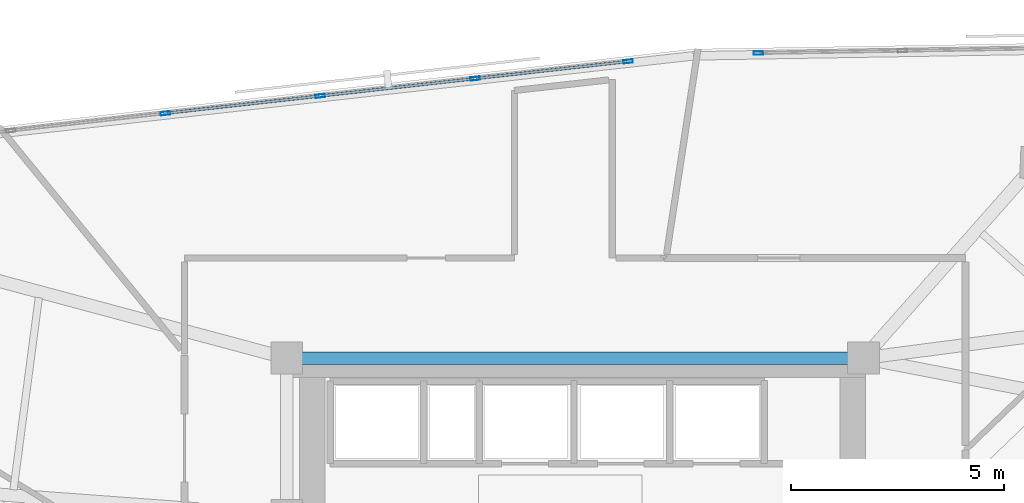
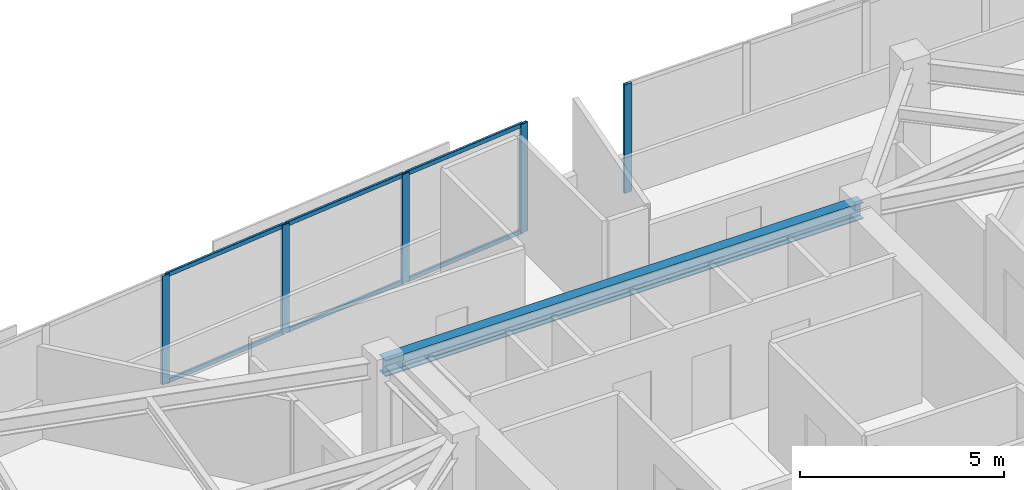
# One storey, part 3 of 13: 11 members, 1 beam, 2 elements without a shape of their own.
"""IFC4 building model written with IfcOpenShell, lengths in metres."""

from ifc_helpers import new_model, si_unit, direction, frame, origin, origin_2d, place, context, subcontext, project, spatial, hollow_rectangle, i_section, extrude, material, material_profile, profile_set, type_object, element, aggregate, save


model = new_model("IFC4")

# Units and contexts
model_context = context("Model", 3, precision=1e-05, world=origin(), true_north=direction((0.0, 1.0)))
body_context = subcontext(model_context, "Body", "Model", "MODEL_VIEW")
ifc_project = project(units=[si_unit("LENGTHUNIT", "METRE"), si_unit("AREAUNIT", "SQUARE_METRE"), si_unit("VOLUMEUNIT", "CUBIC_METRE"), si_unit("PLANEANGLEUNIT", "RADIAN"), si_unit("MASSUNIT", "GRAM", prefix="KILO")], contexts=[model_context])

# Site, building, storey
site_placement = place(None, origin())
site = spatial("IfcSite", under=ifc_project, at=site_placement, CompositionType="ELEMENT")
building_placement = place(site_placement, origin())
building = spatial("IfcBuilding", under=site, at=building_placement, Name="Narakoshi Arena Tower", CompositionType="ELEMENT")
storey_placement = place(building_placement, frame((0.0, 0.0, 274.820068359375)))
storey = spatial("IfcBuildingStorey", under=building, at=storey_placement, Name="L75", CompositionType="ELEMENT", Elevation=274.820068359375)

# Beam
ifc_material_1 = material(Name="Structural steel S355J2", Category="steel")
ifc_material_profile_1 = material_profile(ifc_material_1, i_section(OverallWidth=0.300048828125, OverallDepth=0.5, WebThickness=0.014404296875, FlangeThickness=0.028076171875, FilletRadius=0.027099609375, at=origin_2d()), Name="HE500B")
ifc_profile_set_1 = profile_set([ifc_material_profile_1], Name="Structural steel S355J2")
beam_type = type_object("IfcBeamType", Name="BM-PRI-500", PredefinedType="BEAM", material=ifc_profile_set_1)
beam_placement = place(storey_placement, frame((72.0, 56.5, 3.010009765625), z_axis=(1.0, 0.0, 0.0), x_axis=(0.0, 1.0, 0.0)))
element("IfcBeam", 1, at=beam_placement, inside=storey, type_object=beam_type, Name="L75 Core Perimeter Frame Beam CC5-CC6", PredefinedType="BEAM", context=body_context, shape_type="SweptSolid", body=[
    extrude(i_section(OverallWidth=0.300048828125, OverallDepth=0.5, WebThickness=0.014404296875, FlangeThickness=0.028076171875, FilletRadius=0.027099609375, at=origin_2d()), origin(), (0.0, 0.0, 1.0), 13.550048828125),
])

# Curtain wall, member
ifc_material_2 = material(Name="Anodised bronze aluminium 6063-T6", Category="aluminium")
curtain_wall_type = type_object("IfcCurtainWallType", Name="CW-HYP-HIGH", PredefinedType="NOTDEFINED", material=ifc_material_2)
curtain_wall_1_placement = place(storey_placement, origin())
curtain_wall_1 = element("IfcCurtainWall", 2, at=curtain_wall_1_placement, inside=storey, type_object=curtain_wall_type, Name="L75 Folded Hypotenuse Curtain Wall 1-1", PredefinedType="NOTDEFINED")
ifc_material_profile_2 = material_profile(ifc_material_2, hollow_rectangle(XDim=0.080078125, YDim=0.219970703125, WallThickness=0.0048828125, OuterFilletRadius=0.006103515625, at=origin_2d()), Name="MUL220x80x5")
ifc_profile_set_2 = profile_set([ifc_material_profile_2], Name="Anodised bronze aluminium 6063-T6")
member_type_1 = type_object("IfcMemberType", Name="MEM-MUL-220", PredefinedType="MULLION", material=ifc_profile_set_2)
member_1_placement = place(storey_placement, frame((83.08056640625, 63.668212890625, 0.0), z_axis=(0.0, 0.0, 1.0), x_axis=(0.016442997569, -0.999864804777, 0.0)))
member_1 = element("IfcMember", 3, at=member_1_placement, type_object=member_type_1, Name="CW-03 mullion 9", PredefinedType="MULLION", context=body_context, shape_type="SweptSolid", body=[
    extrude(hollow_rectangle(XDim=0.080078125, YDim=0.219970703125, WallThickness=0.0048828125, OuterFilletRadius=0.006103515625, at=origin_2d()), origin(), (0.0, 0.0, 1.0), 3.260009765625),
])
aggregate(curtain_wall_1, [member_1])

# Curtain wall, members
curtain_wall_2_placement = place(storey_placement, origin())
curtain_wall_2 = element("IfcCurtainWall", 4, at=curtain_wall_2_placement, inside=storey, type_object=curtain_wall_type, Name="L75 Folded Hypotenuse Curtain Wall 2-1", PredefinedType="NOTDEFINED")
member_2_placement = place(storey_placement, frame((80.021728515625, 63.471923828125, 0.0), z_axis=(0.0, 0.0, 1.0), x_axis=(0.111396496086, -0.9937760415, 0.0)))
member_2 = element("IfcMember", 5, at=member_2_placement, type_object=member_type_1, Name="CW-03 mullion 1", PredefinedType="MULLION", context=body_context, shape_type="SweptSolid", body=[
    extrude(hollow_rectangle(XDim=0.080078125, YDim=0.219970703125, WallThickness=0.0048828125, OuterFilletRadius=0.006103515625, at=origin_2d()), origin(), (0.0, 0.0, 1.0), 3.260009765625),
])
member_3_placement = place(storey_placement, frame((76.423828125, 63.06884765625, 0.0), z_axis=(0.0, 0.0, 1.0), x_axis=(0.111396496086, -0.9937760415, 0.0)))
member_3 = element("IfcMember", 6, at=member_3_placement, type_object=member_type_1, Name="CW-03 mullion 2", PredefinedType="MULLION", context=body_context, shape_type="SweptSolid", body=[
    extrude(hollow_rectangle(XDim=0.080078125, YDim=0.219970703125, WallThickness=0.0048828125, OuterFilletRadius=0.006103515625, at=origin_2d()), origin(), (0.0, 0.0, 1.0), 3.260009765625),
])
member_4_placement = place(storey_placement, frame((72.786376953125, 62.660888671875, 0.0), z_axis=(0.0, 0.0, 1.0), x_axis=(0.111396496086, -0.9937760415, 0.0)))
member_4 = element("IfcMember", 7, at=member_4_placement, type_object=member_type_1, Name="CW-03 mullion 3", PredefinedType="MULLION", context=body_context, shape_type="SweptSolid", body=[
    extrude(hollow_rectangle(XDim=0.080078125, YDim=0.219970703125, WallThickness=0.0048828125, OuterFilletRadius=0.006103515625, at=origin_2d()), origin(), (0.0, 0.0, 1.0), 3.260009765625),
])
member_5_placement = place(storey_placement, frame((69.148681640625, 62.253173828125, 0.0), z_axis=(0.0, 0.0, 1.0), x_axis=(0.111396496086, -0.9937760415, 0.0)))
member_5 = element("IfcMember", 8, at=member_5_placement, type_object=member_type_1, Name="CW-03 mullion 4", PredefinedType="MULLION", context=body_context, shape_type="SweptSolid", body=[
    extrude(hollow_rectangle(XDim=0.080078125, YDim=0.219970703125, WallThickness=0.0048828125, OuterFilletRadius=0.006103515625, at=origin_2d()), origin(), (0.0, 0.0, 1.0), 3.260009765625),
])
ifc_material_profile_3 = material_profile(ifc_material_2, hollow_rectangle(XDim=0.06494140625, YDim=0.1298828125, WallThickness=0.00390625, OuterFilletRadius=0.0048828125, at=origin_2d()), Name="TRN130x65x4")
ifc_profile_set_3 = profile_set([ifc_material_profile_3], Name="Anodised bronze aluminium 6063-T6")
member_type_2 = type_object("IfcMemberType", Name="MEM-TRN-130", PredefinedType="USERDEFINED", material=ifc_profile_set_3)
member_6_placement = place(storey_placement, frame((79.98193359375, 63.467529296875, 0.032470703125), z_axis=(-0.993779010945, -0.111370002267, 0.0), x_axis=(0.111370002267, -0.993779010945, 0.0)))
member_6 = element("IfcMember", 9, at=member_6_placement, type_object=member_type_2, Name="CW-03 transom 1.1", ObjectType="TRANSOM", PredefinedType="USERDEFINED", context=body_context, shape_type="SweptSolid", body=[
    extrude(hollow_rectangle(XDim=0.06494140625, YDim=0.1298828125, WallThickness=0.00390625, OuterFilletRadius=0.0048828125, at=origin_2d()), origin(), (0.0, 0.0, 1.0), 3.540283203125),
])
member_7_placement = place(storey_placement, frame((79.98193359375, 63.467529296875, 3.2275390625), z_axis=(-0.993779010945, -0.111370002267, 0.0), x_axis=(0.111370002267, -0.993779010945, 0.0)))
member_7 = element("IfcMember", 10, at=member_7_placement, type_object=member_type_2, Name="CW-03 transom 1.2", ObjectType="TRANSOM", PredefinedType="USERDEFINED", context=body_context, shape_type="SweptSolid", body=[
    extrude(hollow_rectangle(XDim=0.06494140625, YDim=0.1298828125, WallThickness=0.00390625, OuterFilletRadius=0.0048828125, at=origin_2d()), origin(), (0.0, 0.0, 1.0), 3.540283203125),
])
member_8_placement = place(storey_placement, frame((76.38427734375, 63.064208984375, 0.032470703125), z_axis=(-0.993781025425, -0.111352025149, 0.0), x_axis=(0.111352025149, -0.993781025425, 0.0)))
member_8 = element("IfcMember", 11, at=member_8_placement, type_object=member_type_2, Name="CW-03 transom 2.1", ObjectType="TRANSOM", PredefinedType="USERDEFINED", context=body_context, shape_type="SweptSolid", body=[
    extrude(hollow_rectangle(XDim=0.06494140625, YDim=0.1298828125, WallThickness=0.00390625, OuterFilletRadius=0.0048828125, at=origin_2d()), origin(), (0.0, 0.0, 1.0), 3.580322265625),
])
member_9_placement = place(storey_placement, frame((76.38427734375, 63.064208984375, 3.2275390625), z_axis=(-0.993781025425, -0.111352025149, 0.0), x_axis=(0.111352025149, -0.993781025425, 0.0)))
member_9 = element("IfcMember", 12, at=member_9_placement, type_object=member_type_2, Name="CW-03 transom 2.2", ObjectType="TRANSOM", PredefinedType="USERDEFINED", context=body_context, shape_type="SweptSolid", body=[
    extrude(hollow_rectangle(XDim=0.06494140625, YDim=0.1298828125, WallThickness=0.00390625, OuterFilletRadius=0.0048828125, at=origin_2d()), origin(), (0.0, 0.0, 1.0), 3.580322265625),
])
member_10_placement = place(storey_placement, frame((72.74658203125, 62.656494140625, 0.032470703125), z_axis=(-0.993781025425, -0.111352025149, 0.0), x_axis=(0.111352025149, -0.993781025425, 0.0)))
member_10 = element("IfcMember", 13, at=member_10_placement, type_object=member_type_2, Name="CW-03 transom 3.1", ObjectType="TRANSOM", PredefinedType="USERDEFINED", context=body_context, shape_type="SweptSolid", body=[
    extrude(hollow_rectangle(XDim=0.06494140625, YDim=0.1298828125, WallThickness=0.00390625, OuterFilletRadius=0.0048828125, at=origin_2d()), origin(), (0.0, 0.0, 1.0), 3.580322265625),
])
member_11_placement = place(storey_placement, frame((72.74658203125, 62.656494140625, 3.2275390625), z_axis=(-0.993781025425, -0.111352025149, 0.0), x_axis=(0.111352025149, -0.993781025425, 0.0)))
member_11 = element("IfcMember", 14, at=member_11_placement, type_object=member_type_2, Name="CW-03 transom 3.2", ObjectType="TRANSOM", PredefinedType="USERDEFINED", context=body_context, shape_type="SweptSolid", body=[
    extrude(hollow_rectangle(XDim=0.06494140625, YDim=0.1298828125, WallThickness=0.00390625, OuterFilletRadius=0.0048828125, at=origin_2d()), origin(), (0.0, 0.0, 1.0), 3.580322265625),
])
aggregate(curtain_wall_2, [member_2, member_3, member_4, member_5, member_6, member_7, member_8, member_9, member_10, member_11])

save(model, "model.ifc")
